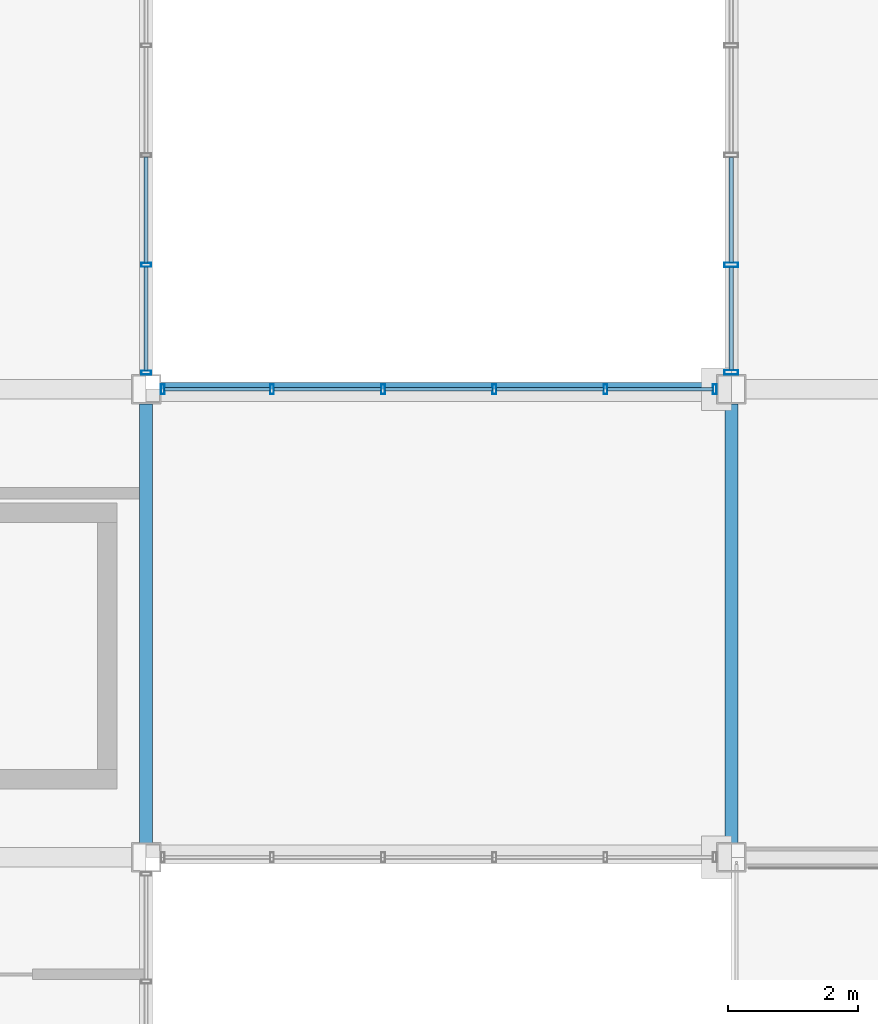
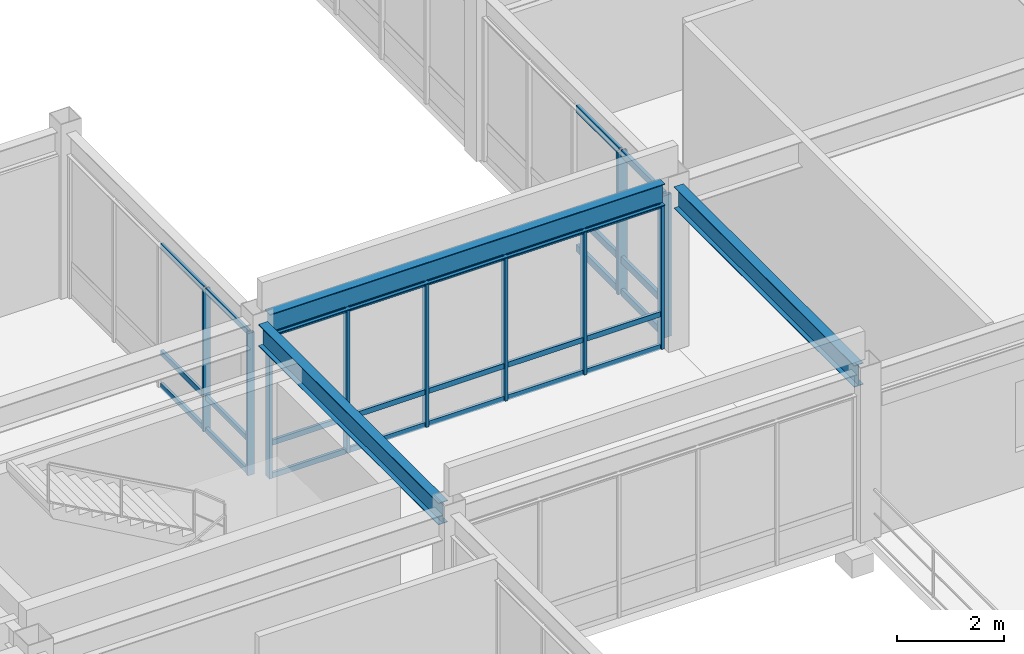
# One storey, part 20 of 122: 37 members, 3 beams, 3 elements without a shape of their own.
"""IFC4 building model written with IfcOpenShell, lengths in metres."""

from ifc_helpers import new_model, si_unit, direction, frame, origin, origin_2d, place, context, subcontext, project, spatial, hollow_rectangle, i_section, extrude, material, material_profile, profile_set, type_object, element, aggregate, save


model = new_model("IFC4")

# Units and contexts
model_context = context("Model", 3, precision=1e-05, world=origin(), true_north=direction((0.0, 1.0)))
body_context = subcontext(model_context, "Body", "Model", "MODEL_VIEW")
ifc_project = project(units=[si_unit("LENGTHUNIT", "METRE"), si_unit("AREAUNIT", "SQUARE_METRE"), si_unit("VOLUMEUNIT", "CUBIC_METRE"), si_unit("PLANEANGLEUNIT", "RADIAN"), si_unit("MASSUNIT", "GRAM", prefix="KILO")], contexts=[model_context])

# Site, building, storey
site_placement = place(None, origin())
site = spatial("IfcSite", under=ifc_project, at=site_placement, CompositionType="ELEMENT")
building_placement = place(site_placement, origin())
building = spatial("IfcBuilding", under=site, at=building_placement, Name="Kazanami Central Library", CompositionType="ELEMENT")
storey_placement = place(building_placement, frame((0.0, 0.0, 4.800048828125)))
storey = spatial("IfcBuildingStorey", under=building, at=storey_placement, Name="L02", CompositionType="ELEMENT", Elevation=4.800048828125)

# Beams
ifc_material_1 = material(Name="Steel SN490B (325 MPa)", Category="steel")
ifc_material_profile_1 = material_profile(ifc_material_1, i_section(OverallWidth=0.199951171875, OverallDepth=0.5, WebThickness=0.010009765625, FlangeThickness=0.01611328125, at=origin_2d()), Name="H-500x200x10x16")
ifc_profile_set_1 = profile_set([ifc_material_profile_1], Name="Steel SN490B (325 MPa)")
beam_type_1 = type_object("IfcBeamType", Name="BM-G-Y2", PredefinedType="BEAM", material=ifc_profile_set_1)
for number, where, z_axis, x_axis, name in (
    (1, (36.0, 21.822998046875, 3.5048828125), (0.0, 1.0, 0.0), (-1.0, 0.0, 0.0), "Girder G-Y2 L02 5/D-E"),
    (2, (45.0, 21.822998046875, 3.5048828125), (0.0, 1.0, 0.0), (-1.0, 0.0, 0.0), "Girder G-Y2 L02 6/D-E"),
):
    element("IfcBeam", number, at=place(storey_placement, frame(where, z_axis=z_axis, x_axis=x_axis)), inside=storey, type_object=beam_type_1, Name=name, PredefinedType="BEAM", context=body_context, shape_type="SweptSolid", body=[
        extrude(i_section(OverallWidth=0.199951171875, OverallDepth=0.5, WebThickness=0.010009765625, FlangeThickness=0.01611328125, at=origin_2d()), origin(), (0.0, 0.0, 1.0), 6.75390625),
    ])
ifc_material_profile_2 = material_profile(ifc_material_1, i_section(OverallWidth=0.199951171875, OverallDepth=0.5, WebThickness=0.010009765625, FlangeThickness=0.01611328125, at=origin_2d()), Name="H-500x200x10x16")
ifc_profile_set_2 = profile_set([ifc_material_profile_2], Name="Steel SN490B (325 MPa)")
beam_type_2 = type_object("IfcBeamType", Name="BM-SP-1", PredefinedType="SPANDREL", material=ifc_profile_set_2)
beam_placement = place(storey_placement, frame((36.222900390625, 28.800048828125, 3.5400390625), z_axis=(1.0, 0.0, 0.0), x_axis=(0.0, 1.0, 0.0)))
element("IfcBeam", 3, at=beam_placement, inside=storey, type_object=beam_type_2, Name="Covered Link Bridge Girder SP-1 L02 E/5-6", PredefinedType="SPANDREL", context=body_context, shape_type="SweptSolid", body=[
    extrude(i_section(OverallWidth=0.199951171875, OverallDepth=0.5, WebThickness=0.010009765625, FlangeThickness=0.01611328125, at=origin_2d()), origin(), (0.0, 0.0, 1.0), 8.55419921875),
])

# Curtain wall, members
ifc_material_2 = material(Name="Acid-Etched Low-E Laminated Glass", Category="glass")
curtain_wall_type_1 = type_object("IfcCurtainWallType", Name="CW-6750x3255-M180", PredefinedType="USERDEFINED", material=ifc_material_2)
curtain_wall_1_placement = place(storey_placement, origin())
curtain_wall_1 = element("IfcCurtainWall", 4, at=curtain_wall_1_placement, inside=storey, type_object=curtain_wall_type_1, Name="Covered Link Bridge Curtain Wall CW-21 L02 W-6-04", ObjectType="UNITISED CURTAIN WALL", PredefinedType="USERDEFINED")
ifc_material_3 = material(Name="Anodised Aluminium A6063-T5", Category="aluminium")
ifc_material_profile_3 = material_profile(ifc_material_3, hollow_rectangle(XDim=0.070068359375, YDim=0.2099609375, WallThickness=0.0048828125, at=origin_2d()), Name="ALU-MULL-70x210x5")
ifc_profile_set_3 = profile_set([ifc_material_profile_3], Name="Anodised Aluminium A6063-T5")
member_type_1 = type_object("IfcMemberType", Name="MEM-CW-M1", PredefinedType="MULLION", material=ifc_profile_set_3)
member_1_placement = place(storey_placement, frame((45.0, 29.06005859375, 0.0), z_axis=(0.0, 0.0, 1.0), x_axis=(0.0, 1.0, 0.0)))
member_1 = element("IfcMember", 5, at=member_1_placement, type_object=member_type_1, Name="CW-21 mullion 1", PredefinedType="MULLION", context=body_context, shape_type="SweptSolid", body=[
    extrude(hollow_rectangle(XDim=0.070068359375, YDim=0.2099609375, WallThickness=0.0048828125, at=origin_2d()), origin(), (0.0, 0.0, 1.0), 3.2548828125),
])
member_2_placement = place(storey_placement, frame((45.0, 30.71240234375, 0.0), z_axis=(0.0, 0.0, 1.0), x_axis=(0.0, 1.0, 0.0)))
member_2 = element("IfcMember", 6, at=member_2_placement, type_object=member_type_1, Name="CW-21 mullion 2", PredefinedType="MULLION", context=body_context, shape_type="SweptSolid", body=[
    extrude(hollow_rectangle(XDim=0.070068359375, YDim=0.2099609375, WallThickness=0.0048828125, at=origin_2d()), origin(), (0.0, 0.0, 1.0), 3.2548828125),
])

curtain_wall_type_2 = type_object("IfcCurtainWallType", Name="CW-8550x3290-M180", PredefinedType="USERDEFINED", material=ifc_material_2)
curtain_wall_2_placement = place(storey_placement, origin())
curtain_wall_2 = element("IfcCurtainWall", 7, at=curtain_wall_2_placement, inside=storey, type_object=curtain_wall_type_2, Name="Covered Link Bridge Curtain Wall CW-12 L02 N-E-04", ObjectType="UNITISED CURTAIN WALL", PredefinedType="USERDEFINED")
ifc_material_profile_4 = material_profile(ifc_material_3, hollow_rectangle(XDim=0.06005859375, YDim=0.14990234375, WallThickness=0.00390625, at=origin_2d()), Name="ALU-MULL-60x150x4")
ifc_profile_set_4 = profile_set([ifc_material_profile_4], Name="Anodised Aluminium A6063-T5")
member_type_2 = type_object("IfcMemberType", Name="MEM-CW-M3", PredefinedType="MULLION", material=ifc_profile_set_4)
member_3_placement = place(storey_placement, frame((44.7451171875, 28.800048828125, 0.0), z_axis=(0.0, 0.0, 1.0), x_axis=(-1.0, 0.0, 0.0)))
member_3 = element("IfcMember", 8, at=member_3_placement, type_object=member_type_2, Name="CW-12 mullion 1", PredefinedType="MULLION", context=body_context, shape_type="SweptSolid", body=[
    extrude(hollow_rectangle(XDim=0.06005859375, YDim=0.14990234375, WallThickness=0.00390625, at=origin_2d()), origin(), (0.0, 0.0, 1.0), 3.2900390625),
])
member_4_placement = place(storey_placement, frame((43.06494140625, 28.800048828125, 0.0), z_axis=(0.0, 0.0, 1.0), x_axis=(-1.0, 0.0, 0.0)))
member_4 = element("IfcMember", 9, at=member_4_placement, type_object=member_type_2, Name="CW-12 mullion 2", PredefinedType="MULLION", context=body_context, shape_type="SweptSolid", body=[
    extrude(hollow_rectangle(XDim=0.06005859375, YDim=0.14990234375, WallThickness=0.00390625, at=origin_2d()), origin(), (0.0, 0.0, 1.0), 3.2900390625),
])
member_5_placement = place(storey_placement, frame((41.35498046875, 28.800048828125, 0.0), z_axis=(0.0, 0.0, 1.0), x_axis=(-1.0, 0.0, 0.0)))
member_5 = element("IfcMember", 10, at=member_5_placement, type_object=member_type_2, Name="CW-12 mullion 3", PredefinedType="MULLION", context=body_context, shape_type="SweptSolid", body=[
    extrude(hollow_rectangle(XDim=0.06005859375, YDim=0.14990234375, WallThickness=0.00390625, at=origin_2d()), origin(), (0.0, 0.0, 1.0), 3.2900390625),
])
member_6_placement = place(storey_placement, frame((39.64501953125, 28.800048828125, 0.0), z_axis=(0.0, 0.0, 1.0), x_axis=(-1.0, 0.0, 0.0)))
member_6 = element("IfcMember", 11, at=member_6_placement, type_object=member_type_2, Name="CW-12 mullion 4", PredefinedType="MULLION", context=body_context, shape_type="SweptSolid", body=[
    extrude(hollow_rectangle(XDim=0.06005859375, YDim=0.14990234375, WallThickness=0.00390625, at=origin_2d()), origin(), (0.0, 0.0, 1.0), 3.2900390625),
])
member_7_placement = place(storey_placement, frame((37.93505859375, 28.800048828125, 0.0), z_axis=(0.0, 0.0, 1.0), x_axis=(-1.0, 0.0, 0.0)))
member_7 = element("IfcMember", 12, at=member_7_placement, type_object=member_type_2, Name="CW-12 mullion 5", PredefinedType="MULLION", context=body_context, shape_type="SweptSolid", body=[
    extrude(hollow_rectangle(XDim=0.06005859375, YDim=0.14990234375, WallThickness=0.00390625, at=origin_2d()), origin(), (0.0, 0.0, 1.0), 3.2900390625),
])
member_8_placement = place(storey_placement, frame((36.2548828125, 28.800048828125, 0.0), z_axis=(0.0, 0.0, 1.0), x_axis=(-1.0, 0.0, 0.0)))
member_8 = element("IfcMember", 13, at=member_8_placement, type_object=member_type_2, Name="CW-12 mullion 6", PredefinedType="MULLION", context=body_context, shape_type="SweptSolid", body=[
    extrude(hollow_rectangle(XDim=0.06005859375, YDim=0.14990234375, WallThickness=0.00390625, at=origin_2d()), origin(), (0.0, 0.0, 1.0), 3.2900390625),
])

curtain_wall_3_placement = place(storey_placement, origin())
curtain_wall_3 = element("IfcCurtainWall", 14, at=curtain_wall_3_placement, inside=storey, type_object=curtain_wall_type_1, Name="Covered Link Bridge Curtain Wall CW-21 L02 E-5-04", ObjectType="UNITISED CURTAIN WALL", PredefinedType="USERDEFINED")
member_9_placement = place(storey_placement, frame((36.0, 30.71240234375, 0.0), z_axis=(0.0, 0.0, 1.0), x_axis=(0.0, -1.0, 0.0)))
member_9 = element("IfcMember", 15, at=member_9_placement, type_object=member_type_2, Name="CW-21 mullion 4", PredefinedType="MULLION", context=body_context, shape_type="SweptSolid", body=[
    extrude(hollow_rectangle(XDim=0.06005859375, YDim=0.14990234375, WallThickness=0.00390625, at=origin_2d()), origin(), (0.0, 0.0, 1.0), 3.2548828125),
])
member_10_placement = place(storey_placement, frame((36.0, 29.054931640625, 0.0), z_axis=(0.0, 0.0, 1.0), x_axis=(0.0, -1.0, 0.0)))
member_10 = element("IfcMember", 16, at=member_10_placement, type_object=member_type_2, Name="CW-21 mullion 5", PredefinedType="MULLION", context=body_context, shape_type="SweptSolid", body=[
    extrude(hollow_rectangle(XDim=0.06005859375, YDim=0.14990234375, WallThickness=0.00390625, at=origin_2d()), origin(), (0.0, 0.0, 1.0), 3.2548828125),
])

# Member
ifc_material_profile_5 = material_profile(ifc_material_3, hollow_rectangle(XDim=0.070068359375, YDim=0.159912109375, WallThickness=0.00390625, at=origin_2d()), Name="ALU-TRAN-70x160x4")
ifc_profile_set_5 = profile_set([ifc_material_profile_5], Name="Anodised Aluminium A6063-T5")
member_type_3 = type_object("IfcMemberType", Name="MEM-CW-T1", PredefinedType="USERDEFINED", material=ifc_profile_set_5)
member_11_placement = place(storey_placement, frame((45.0, 29.094970703125, 0.034912109375), z_axis=(0.0, 1.0, 0.0), x_axis=(-1.0, 0.0, 0.0)))
member_11 = element("IfcMember", 17, at=member_11_placement, type_object=member_type_3, Name="CW-21 transom 1.1", ObjectType="TRANSOM", PredefinedType="USERDEFINED", context=body_context, shape_type="SweptSolid", body=[
    extrude(hollow_rectangle(XDim=0.070068359375, YDim=0.159912109375, WallThickness=0.00390625, at=origin_2d()), origin(), (0.0, 0.0, 1.0), 1.58251953125),
])

member_12_placement = place(storey_placement, frame((45.0, 29.094970703125, 0.780029296875), z_axis=(0.0, 1.0, 0.0), x_axis=(-1.0, 0.0, 0.0)))
member_12 = element("IfcMember", 18, at=member_12_placement, type_object=member_type_3, Name="CW-21 transom 1.2", ObjectType="TRANSOM", PredefinedType="USERDEFINED", context=body_context, shape_type="SweptSolid", body=[
    extrude(hollow_rectangle(XDim=0.070068359375, YDim=0.159912109375, WallThickness=0.00390625, at=origin_2d()), origin(), (0.0, 0.0, 1.0), 1.58251953125),
])

member_13_placement = place(storey_placement, frame((45.0, 29.094970703125, 3.219970703125), z_axis=(0.0, 1.0, 0.0), x_axis=(-1.0, 0.0, 0.0)))
member_13 = element("IfcMember", 19, at=member_13_placement, type_object=member_type_3, Name="CW-21 transom 1.3", ObjectType="TRANSOM", PredefinedType="USERDEFINED", context=body_context, shape_type="SweptSolid", body=[
    extrude(hollow_rectangle(XDim=0.070068359375, YDim=0.159912109375, WallThickness=0.00390625, at=origin_2d()), origin(), (0.0, 0.0, 1.0), 1.58251953125),
])

member_14_placement = place(storey_placement, frame((45.0, 30.74755859375, 0.034912109375), z_axis=(0.0, 1.0, 0.0), x_axis=(-1.0, 0.0, 0.0)))
member_14 = element("IfcMember", 20, at=member_14_placement, type_object=member_type_3, Name="CW-21 transom 2.1", ObjectType="TRANSOM", PredefinedType="USERDEFINED", context=body_context, shape_type="SweptSolid", body=[
    extrude(hollow_rectangle(XDim=0.070068359375, YDim=0.159912109375, WallThickness=0.00390625, at=origin_2d()), origin(), (0.0, 0.0, 1.0), 1.617431640625),
])

member_15_placement = place(storey_placement, frame((45.0, 30.74755859375, 0.780029296875), z_axis=(0.0, 1.0, 0.0), x_axis=(-1.0, 0.0, 0.0)))
member_15 = element("IfcMember", 21, at=member_15_placement, type_object=member_type_3, Name="CW-21 transom 2.2", ObjectType="TRANSOM", PredefinedType="USERDEFINED", context=body_context, shape_type="SweptSolid", body=[
    extrude(hollow_rectangle(XDim=0.070068359375, YDim=0.159912109375, WallThickness=0.00390625, at=origin_2d()), origin(), (0.0, 0.0, 1.0), 1.617431640625),
])

member_16_placement = place(storey_placement, frame((45.0, 30.74755859375, 3.219970703125), z_axis=(0.0, 1.0, 0.0), x_axis=(-1.0, 0.0, 0.0)))
member_16 = element("IfcMember", 22, at=member_16_placement, type_object=member_type_3, Name="CW-21 transom 2.3", ObjectType="TRANSOM", PredefinedType="USERDEFINED", context=body_context, shape_type="SweptSolid", body=[
    extrude(hollow_rectangle(XDim=0.070068359375, YDim=0.159912109375, WallThickness=0.00390625, at=origin_2d()), origin(), (0.0, 0.0, 1.0), 1.617431640625),
])

aggregate(curtain_wall_1, [member_1, member_2, member_11, member_12, member_13, member_14, member_15, member_16])

ifc_material_profile_6 = material_profile(ifc_material_3, hollow_rectangle(XDim=0.06005859375, YDim=0.1201171875, WallThickness=0.00341796875, at=origin_2d()), Name="ALU-TRAN-60x120x3.5")
ifc_profile_set_6 = profile_set([ifc_material_profile_6], Name="Anodised Aluminium A6063-T5")
member_type_4 = type_object("IfcMemberType", Name="MEM-CW-T3", PredefinedType="USERDEFINED", material=ifc_profile_set_6)
member_17_placement = place(storey_placement, frame((44.715087890625, 28.800048828125, 0.030029296875), z_axis=(-1.0, 0.0, 0.0), x_axis=(0.0, -1.0, 0.0)))
member_17 = element("IfcMember", 23, at=member_17_placement, type_object=member_type_4, Name="CW-12 transom 1.1", ObjectType="TRANSOM", PredefinedType="USERDEFINED", context=body_context, shape_type="SweptSolid", body=[
    extrude(hollow_rectangle(XDim=0.06005859375, YDim=0.1201171875, WallThickness=0.00341796875, at=origin_2d()), origin(), (0.0, 0.0, 1.0), 1.6201171875),
])

member_18_placement = place(storey_placement, frame((44.715087890625, 28.800048828125, 0.780029296875), z_axis=(-1.0, 0.0, 0.0), x_axis=(0.0, -1.0, 0.0)))
member_18 = element("IfcMember", 24, at=member_18_placement, type_object=member_type_4, Name="CW-12 transom 1.2", ObjectType="TRANSOM", PredefinedType="USERDEFINED", context=body_context, shape_type="SweptSolid", body=[
    extrude(hollow_rectangle(XDim=0.06005859375, YDim=0.1201171875, WallThickness=0.00341796875, at=origin_2d()), origin(), (0.0, 0.0, 1.0), 1.6201171875),
])

member_19_placement = place(storey_placement, frame((44.715087890625, 28.800048828125, 3.260009765625), z_axis=(-1.0, 0.0, 0.0), x_axis=(0.0, -1.0, 0.0)))
member_19 = element("IfcMember", 25, at=member_19_placement, type_object=member_type_4, Name="CW-12 transom 1.3", ObjectType="TRANSOM", PredefinedType="USERDEFINED", context=body_context, shape_type="SweptSolid", body=[
    extrude(hollow_rectangle(XDim=0.06005859375, YDim=0.1201171875, WallThickness=0.00341796875, at=origin_2d()), origin(), (0.0, 0.0, 1.0), 1.6201171875),
])

member_20_placement = place(storey_placement, frame((43.034912109375, 28.800048828125, 0.030029296875), z_axis=(-1.0, 0.0, 0.0), x_axis=(0.0, -1.0, 0.0)))
member_20 = element("IfcMember", 26, at=member_20_placement, type_object=member_type_4, Name="CW-12 transom 2.1", ObjectType="TRANSOM", PredefinedType="USERDEFINED", context=body_context, shape_type="SweptSolid", body=[
    extrude(hollow_rectangle(XDim=0.06005859375, YDim=0.1201171875, WallThickness=0.00341796875, at=origin_2d()), origin(), (0.0, 0.0, 1.0), 1.64990234375),
])

member_21_placement = place(storey_placement, frame((43.034912109375, 28.800048828125, 0.780029296875), z_axis=(-1.0, 0.0, 0.0), x_axis=(0.0, -1.0, 0.0)))
member_21 = element("IfcMember", 27, at=member_21_placement, type_object=member_type_4, Name="CW-12 transom 2.2", ObjectType="TRANSOM", PredefinedType="USERDEFINED", context=body_context, shape_type="SweptSolid", body=[
    extrude(hollow_rectangle(XDim=0.06005859375, YDim=0.1201171875, WallThickness=0.00341796875, at=origin_2d()), origin(), (0.0, 0.0, 1.0), 1.64990234375),
])

member_22_placement = place(storey_placement, frame((43.034912109375, 28.800048828125, 3.260009765625), z_axis=(-1.0, 0.0, 0.0), x_axis=(0.0, -1.0, 0.0)))
member_22 = element("IfcMember", 28, at=member_22_placement, type_object=member_type_4, Name="CW-12 transom 2.3", ObjectType="TRANSOM", PredefinedType="USERDEFINED", context=body_context, shape_type="SweptSolid", body=[
    extrude(hollow_rectangle(XDim=0.06005859375, YDim=0.1201171875, WallThickness=0.00341796875, at=origin_2d()), origin(), (0.0, 0.0, 1.0), 1.64990234375),
])

member_23_placement = place(storey_placement, frame((41.324951171875, 28.800048828125, 0.030029296875), z_axis=(-1.0, 0.0, 0.0), x_axis=(0.0, -1.0, 0.0)))
member_23 = element("IfcMember", 29, at=member_23_placement, type_object=member_type_4, Name="CW-12 transom 3.1", ObjectType="TRANSOM", PredefinedType="USERDEFINED", context=body_context, shape_type="SweptSolid", body=[
    extrude(hollow_rectangle(XDim=0.06005859375, YDim=0.1201171875, WallThickness=0.00341796875, at=origin_2d()), origin(), (0.0, 0.0, 1.0), 1.64990234375),
])

member_24_placement = place(storey_placement, frame((41.324951171875, 28.800048828125, 0.780029296875), z_axis=(-1.0, 0.0, 0.0), x_axis=(0.0, -1.0, 0.0)))
member_24 = element("IfcMember", 30, at=member_24_placement, type_object=member_type_4, Name="CW-12 transom 3.2", ObjectType="TRANSOM", PredefinedType="USERDEFINED", context=body_context, shape_type="SweptSolid", body=[
    extrude(hollow_rectangle(XDim=0.06005859375, YDim=0.1201171875, WallThickness=0.00341796875, at=origin_2d()), origin(), (0.0, 0.0, 1.0), 1.64990234375),
])

member_25_placement = place(storey_placement, frame((41.324951171875, 28.800048828125, 3.260009765625), z_axis=(-1.0, 0.0, 0.0), x_axis=(0.0, -1.0, 0.0)))
member_25 = element("IfcMember", 31, at=member_25_placement, type_object=member_type_4, Name="CW-12 transom 3.3", ObjectType="TRANSOM", PredefinedType="USERDEFINED", context=body_context, shape_type="SweptSolid", body=[
    extrude(hollow_rectangle(XDim=0.06005859375, YDim=0.1201171875, WallThickness=0.00341796875, at=origin_2d()), origin(), (0.0, 0.0, 1.0), 1.64990234375),
])

member_26_placement = place(storey_placement, frame((39.614990234375, 28.800048828125, 0.030029296875), z_axis=(-1.0, 0.0, 0.0), x_axis=(0.0, -1.0, 0.0)))
member_26 = element("IfcMember", 32, at=member_26_placement, type_object=member_type_4, Name="CW-12 transom 4.1", ObjectType="TRANSOM", PredefinedType="USERDEFINED", context=body_context, shape_type="SweptSolid", body=[
    extrude(hollow_rectangle(XDim=0.06005859375, YDim=0.1201171875, WallThickness=0.00341796875, at=origin_2d()), origin(), (0.0, 0.0, 1.0), 1.64990234375),
])

member_27_placement = place(storey_placement, frame((39.614990234375, 28.800048828125, 0.780029296875), z_axis=(-1.0, 0.0, 0.0), x_axis=(0.0, -1.0, 0.0)))
member_27 = element("IfcMember", 33, at=member_27_placement, type_object=member_type_4, Name="CW-12 transom 4.2", ObjectType="TRANSOM", PredefinedType="USERDEFINED", context=body_context, shape_type="SweptSolid", body=[
    extrude(hollow_rectangle(XDim=0.06005859375, YDim=0.1201171875, WallThickness=0.00341796875, at=origin_2d()), origin(), (0.0, 0.0, 1.0), 1.64990234375),
])

member_28_placement = place(storey_placement, frame((39.614990234375, 28.800048828125, 3.260009765625), z_axis=(-1.0, 0.0, 0.0), x_axis=(0.0, -1.0, 0.0)))
member_28 = element("IfcMember", 34, at=member_28_placement, type_object=member_type_4, Name="CW-12 transom 4.3", ObjectType="TRANSOM", PredefinedType="USERDEFINED", context=body_context, shape_type="SweptSolid", body=[
    extrude(hollow_rectangle(XDim=0.06005859375, YDim=0.1201171875, WallThickness=0.00341796875, at=origin_2d()), origin(), (0.0, 0.0, 1.0), 1.64990234375),
])

member_29_placement = place(storey_placement, frame((37.905029296875, 28.800048828125, 0.030029296875), z_axis=(-1.0, 0.0, 0.0), x_axis=(0.0, -1.0, 0.0)))
member_29 = element("IfcMember", 35, at=member_29_placement, type_object=member_type_4, Name="CW-12 transom 5.1", ObjectType="TRANSOM", PredefinedType="USERDEFINED", context=body_context, shape_type="SweptSolid", body=[
    extrude(hollow_rectangle(XDim=0.06005859375, YDim=0.1201171875, WallThickness=0.00341796875, at=origin_2d()), origin(), (0.0, 0.0, 1.0), 1.6201171875),
])

member_30_placement = place(storey_placement, frame((37.905029296875, 28.800048828125, 0.780029296875), z_axis=(-1.0, 0.0, 0.0), x_axis=(0.0, -1.0, 0.0)))
member_30 = element("IfcMember", 36, at=member_30_placement, type_object=member_type_4, Name="CW-12 transom 5.2", ObjectType="TRANSOM", PredefinedType="USERDEFINED", context=body_context, shape_type="SweptSolid", body=[
    extrude(hollow_rectangle(XDim=0.06005859375, YDim=0.1201171875, WallThickness=0.00341796875, at=origin_2d()), origin(), (0.0, 0.0, 1.0), 1.6201171875),
])

member_31_placement = place(storey_placement, frame((37.905029296875, 28.800048828125, 3.260009765625), z_axis=(-1.0, 0.0, 0.0), x_axis=(0.0, -1.0, 0.0)))
member_31 = element("IfcMember", 37, at=member_31_placement, type_object=member_type_4, Name="CW-12 transom 5.3", ObjectType="TRANSOM", PredefinedType="USERDEFINED", context=body_context, shape_type="SweptSolid", body=[
    extrude(hollow_rectangle(XDim=0.06005859375, YDim=0.1201171875, WallThickness=0.00341796875, at=origin_2d()), origin(), (0.0, 0.0, 1.0), 1.6201171875),
])

aggregate(curtain_wall_2, [member_3, member_4, member_5, member_6, member_7, member_8, member_17, member_18, member_19, member_20, member_21, member_22, member_23, member_24, member_25, member_26, member_27, member_28, member_29, member_30, member_31])

member_32_placement = place(storey_placement, frame((36.0, 32.3701171875, 0.030029296875), z_axis=(0.0, -1.0, 0.0), x_axis=(1.0, 0.0, 0.0)))
member_32 = element("IfcMember", 38, at=member_32_placement, type_object=member_type_4, Name="CW-21 transom 3.1", ObjectType="TRANSOM", PredefinedType="USERDEFINED", context=body_context, shape_type="SweptSolid", body=[
    extrude(hollow_rectangle(XDim=0.06005859375, YDim=0.1201171875, WallThickness=0.00341796875, at=origin_2d()), origin(), (0.0, 0.0, 1.0), 1.627685546875),
])

member_33_placement = place(storey_placement, frame((36.0, 32.3701171875, 0.780029296875), z_axis=(0.0, -1.0, 0.0), x_axis=(1.0, 0.0, 0.0)))
member_33 = element("IfcMember", 39, at=member_33_placement, type_object=member_type_4, Name="CW-21 transom 3.2", ObjectType="TRANSOM", PredefinedType="USERDEFINED", context=body_context, shape_type="SweptSolid", body=[
    extrude(hollow_rectangle(XDim=0.06005859375, YDim=0.1201171875, WallThickness=0.00341796875, at=origin_2d()), origin(), (0.0, 0.0, 1.0), 1.627685546875),
])

member_34_placement = place(storey_placement, frame((36.0, 32.3701171875, 3.224853515625), z_axis=(0.0, -1.0, 0.0), x_axis=(1.0, 0.0, 0.0)))
member_34 = element("IfcMember", 40, at=member_34_placement, type_object=member_type_4, Name="CW-21 transom 3.3", ObjectType="TRANSOM", PredefinedType="USERDEFINED", context=body_context, shape_type="SweptSolid", body=[
    extrude(hollow_rectangle(XDim=0.06005859375, YDim=0.1201171875, WallThickness=0.00341796875, at=origin_2d()), origin(), (0.0, 0.0, 1.0), 1.627685546875),
])

member_35_placement = place(storey_placement, frame((36.0, 30.6826171875, 0.030029296875), z_axis=(0.0, -1.0, 0.0), x_axis=(1.0, 0.0, 0.0)))
member_35 = element("IfcMember", 41, at=member_35_placement, type_object=member_type_4, Name="CW-21 transom 4.1", ObjectType="TRANSOM", PredefinedType="USERDEFINED", context=body_context, shape_type="SweptSolid", body=[
    extrude(hollow_rectangle(XDim=0.06005859375, YDim=0.1201171875, WallThickness=0.00341796875, at=origin_2d()), origin(), (0.0, 0.0, 1.0), 1.59765625),
])

member_36_placement = place(storey_placement, frame((36.0, 30.6826171875, 0.780029296875), z_axis=(0.0, -1.0, 0.0), x_axis=(1.0, 0.0, 0.0)))
member_36 = element("IfcMember", 42, at=member_36_placement, type_object=member_type_4, Name="CW-21 transom 4.2", ObjectType="TRANSOM", PredefinedType="USERDEFINED", context=body_context, shape_type="SweptSolid", body=[
    extrude(hollow_rectangle(XDim=0.06005859375, YDim=0.1201171875, WallThickness=0.00341796875, at=origin_2d()), origin(), (0.0, 0.0, 1.0), 1.59765625),
])

member_37_placement = place(storey_placement, frame((36.0, 30.6826171875, 3.224853515625), z_axis=(0.0, -1.0, 0.0), x_axis=(1.0, 0.0, 0.0)))
member_37 = element("IfcMember", 43, at=member_37_placement, type_object=member_type_4, Name="CW-21 transom 4.3", ObjectType="TRANSOM", PredefinedType="USERDEFINED", context=body_context, shape_type="SweptSolid", body=[
    extrude(hollow_rectangle(XDim=0.06005859375, YDim=0.1201171875, WallThickness=0.00341796875, at=origin_2d()), origin(), (0.0, 0.0, 1.0), 1.59765625),
])

aggregate(curtain_wall_3, [member_9, member_10, member_32, member_33, member_34, member_35, member_36, member_37])

save(model, "model.ifc")
